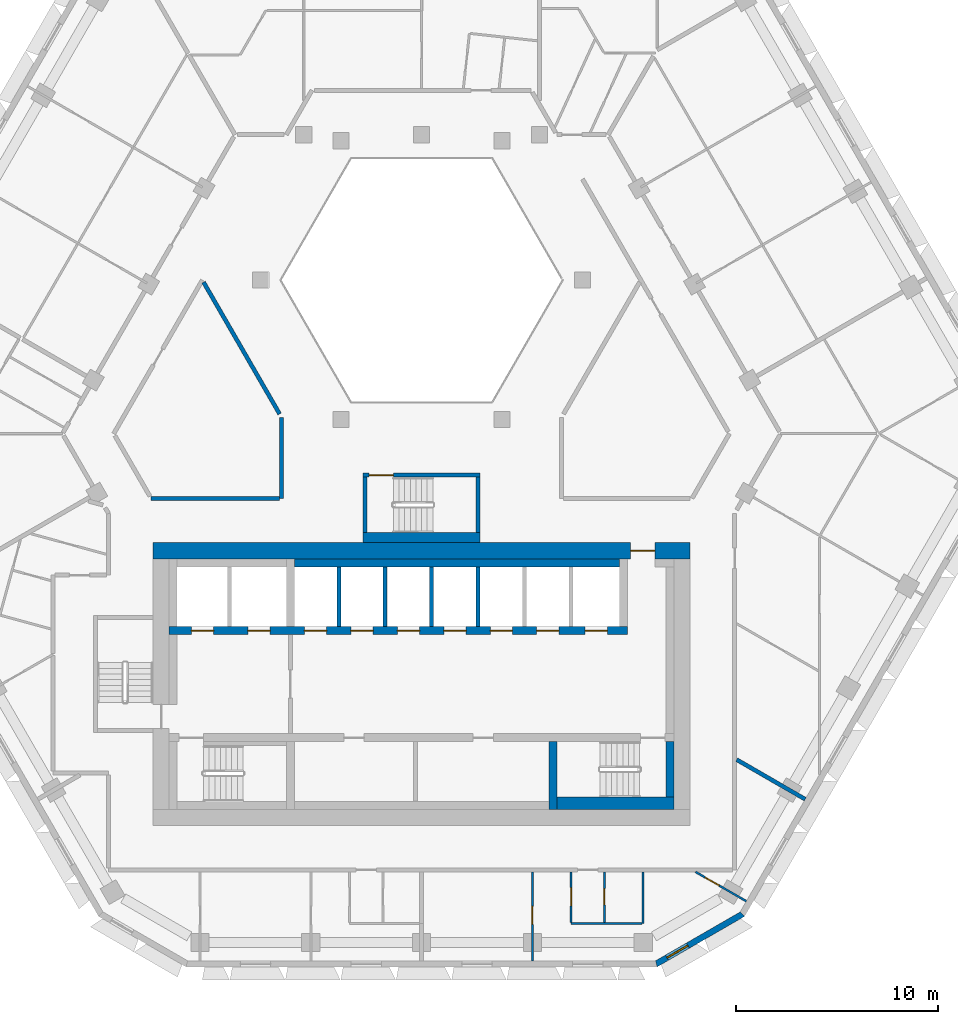
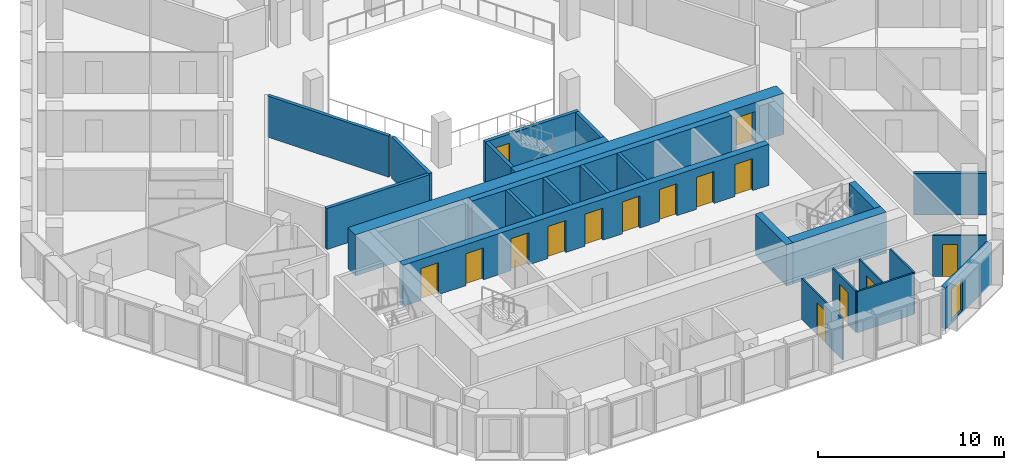
# One storey, part 5 of 15: 25 walls, 15 doors, 1 window, 16 openings.
"""IFC4 building model written with IfcOpenShell, lengths in metres."""

from ifc_helpers import new_model, si_unit, direction, frame, frame_2d, origin, place, context, subcontext, project, spatial, polyline, rectangle, outline, extrude, material, layer, layer_set, type_object, element, fill, save


model = new_model("IFC4")

# Units and contexts
model_context = context("Model", 3, precision=1e-05, world=origin(), true_north=direction((0.0, 1.0)))
body_context = subcontext(model_context, "Body", "Model", "MODEL_VIEW")
ifc_project = project(units=[si_unit("LENGTHUNIT", "METRE"), si_unit("AREAUNIT", "SQUARE_METRE"), si_unit("VOLUMEUNIT", "CUBIC_METRE"), si_unit("PLANEANGLEUNIT", "RADIAN"), si_unit("MASSUNIT", "GRAM", prefix="KILO")], contexts=[model_context])

# Site, building, storey
site_placement = place(None, origin())
site = spatial("IfcSite", under=ifc_project, at=site_placement, CompositionType="ELEMENT")
building_placement = place(site_placement, origin())
building = spatial("IfcBuilding", under=site, at=building_placement, Name="Beryl Residences", CompositionType="ELEMENT")
storey_placement = place(building_placement, frame((0.0, 0.0, 117.60009765625)))
storey = spatial("IfcBuildingStorey", under=building, at=storey_placement, Name="L35", CompositionType="ELEMENT", Elevation=117.60009765625)

# Wall, opening, window
ifc_material_1 = material(Name="Composite metal panel with mineral wool insulation")
ifc_layer_1 = layer(ifc_material_1, 0.300048828125)
ifc_layer_set_1 = layer_set([ifc_layer_1], Name="ES1 pale metal composite panel wall 300 mm")
wall_type_1 = type_object("IfcWallType", Name="ES1 pale metal composite panel wall 300 mm", PredefinedType="SOLIDWALL", material=ifc_layer_set_1)
wall_1_placement = place(storey_placement, frame((11.5869140625, -25.8701171875, 0.0), z_axis=(0.0, 0.0, 1.0), x_axis=(0.866022959057, 0.500004234368, 0.0)))
wall_1 = element("IfcWall", 1, at=wall_1_placement, inside=storey, type_object=wall_type_1, Name="ES1 external wall L35 S-SE", PredefinedType="SOLIDWALL", context=body_context, shape_type="SweptSolid", body=[
    extrude(outline(polyline([(0.0, -0.14990234375), (5.0, -0.14990234375), (4.919677734375, 0.14990234375), (0.080322265625, 0.14990234375), (0.0, -0.14990234375)])), origin(), (0.0, 0.0, 1.0), 2.699951171875),
])
opening_1_placement = place(wall_1_placement, frame((0.64990234375, 0.0, 0.14990234375)))
opening_1 = element("IfcOpeningElement", 2, at=opening_1_placement, cuts=wall_1, Name="Opening W2", PredefinedType="OPENING", context=body_context, shape_type="SweptSolid", body=[
    extrude(rectangle(XDim=1.199951171875, YDim=2.10009765625, at=frame_2d((0.60009765625, 1.050048828125))), frame((0.0, 0.159912109375, 0.0), z_axis=(0.0, -1.0, 0.0), x_axis=(1.0, 0.0, 0.0)), (0.0, 0.0, 1.0), 0.320068359375),
])
ifc_material_2 = material(Name="Aluminium and clear glass", Category="aluminium")
window_type = type_object("IfcWindowType", Name="W2 chamfer window 1200 x 2100 mm", PartitioningType="SINGLE_PANEL", PredefinedType="WINDOW", material=ifc_material_2)
window_placement = place(opening_1_placement, origin())
window = element("IfcWindow", 3, at=window_placement, inside=storey, type_object=window_type, Name="W2 window L35 S-SE 1", OverallHeight=2.10009765625, OverallWidth=1.199951171875, PartitioningType="SINGLE_PANEL", PredefinedType="WINDOW", context=body_context, shape_type="SweptSolid", body=[
    extrude(rectangle(XDim=1.199951171875, YDim=2.10009765625, at=frame_2d((0.60009765625, 1.050048828125))), frame((0.0, 0.030029296875, 0.0), z_axis=(0.0, -1.0, 0.0), x_axis=(1.0, 0.0, 0.0)), (0.0, 0.0, 1.0), 0.06005859375),
])
fill(opening_1, window)

# Wall, opening, door
ifc_material_3 = material(Name="Gypsum board partition on steel studs", Category="steel")
ifc_layer_2 = layer(ifc_material_3, 0.10009765625)
ifc_layer_set_2 = layer_set([ifc_layer_2], Name="PT1 partition 100 mm gypsum board on steel studs")
wall_type_2 = type_object("IfcWallType", Name="PT1 partition 100 mm gypsum board on steel studs", PredefinedType="PARTITIONING", material=ifc_layer_set_2)
wall_2_placement = place(storey_placement, frame((7.406005859375, -21.300048828125, 0.0), z_axis=(0.0, 0.0, 1.0), x_axis=(0.0, -1.0, 0.0)))
wall_2 = element("IfcWall", 4, at=wall_2_placement, inside=storey, type_object=wall_type_2, Name="Wall PT1 L35 008", PredefinedType="PARTITIONING", context=body_context, shape_type="SweptSolid", body=[
    extrude(rectangle(XDim=2.509033203125, YDim=0.10009765625, at=frame_2d((1.25439453125, 0.0))), origin(), (0.0, 0.0, 1.0), 2.699951171875),
])
opening_2_placement = place(wall_2_placement, frame((0.780029296875, 0.0, 0.0)))
opening_2 = element("IfcOpeningElement", 5, at=opening_2_placement, cuts=wall_2, Name="Opening D1207", PredefinedType="OPENING", context=body_context, shape_type="SweptSolid", body=[
    extrude(rectangle(XDim=0.89990234375, YDim=2.10009765625, at=frame_2d((0.449951171875, 1.050048828125))), frame((0.0, 0.06005859375, 0.0), z_axis=(0.0, -1.0, 0.0), x_axis=(1.0, 0.0, 0.0)), (0.0, 0.0, 1.0), 0.1201171875),
])
ifc_material_4 = material(Name="Timber door leaf", Category="wood")
door_type_1 = type_object("IfcDoorType", Name="D2 room door 900 x 2100 mm", OperationType="SINGLE_SWING_LEFT", PredefinedType="DOOR", material=ifc_material_4)
door_1_placement = place(opening_2_placement, origin())
door_1 = element("IfcDoor", 6, at=door_1_placement, inside=storey, type_object=door_type_1, Name="Door D1207 L35 001", OperationType="SINGLE_SWING_LEFT", OverallHeight=2.10009765625, OverallWidth=0.89990234375, PredefinedType="DOOR", context=body_context, shape_type="SweptSolid", body=[
    extrude(rectangle(XDim=0.89990234375, YDim=2.10009765625, at=frame_2d((0.449951171875, 1.050048828125))), frame((0.0, 0.02490234375, 0.0), z_axis=(0.0, -1.0, 0.0), x_axis=(1.0, 0.0, 0.0)), (0.0, 0.0, 1.0), 0.050048828125),
])
fill(opening_2, door_1)

wall_3_placement = place(storey_placement, frame((13.568115234375, -21.300048828125, 0.0), z_axis=(0.0, 0.0, 1.0), x_axis=(0.865885342641, -0.500242514586, 0.0)))
wall_3 = element("IfcWall", 7, at=wall_3_placement, inside=storey, type_object=wall_type_2, Name="Wall PT1 L35 014", PredefinedType="PARTITIONING", context=body_context, shape_type="SweptSolid", body=[
    extrude(rectangle(XDim=2.8984375, YDim=0.10009765625, at=frame_2d((1.44921875, 0.0))), origin(), (0.0, 0.0, 1.0), 2.699951171875),
])
opening_3_placement = place(wall_3_placement, frame((0.550048828125, 0.0, 0.0)))
opening_3 = element("IfcOpeningElement", 8, at=opening_3_placement, cuts=wall_3, Name="Opening D1210", PredefinedType="OPENING", context=body_context, shape_type="SweptSolid", body=[
    extrude(rectangle(XDim=0.800048828125, YDim=2.10009765625, at=frame_2d((0.39990234375, 1.050048828125))), frame((0.0, 0.06005859375, 0.0), z_axis=(0.0, -1.0, 0.0), x_axis=(1.0, 0.0, 0.0)), (0.0, 0.0, 1.0), 0.1201171875),
])
ifc_material_5 = material(Name="Timber door leaf", Category="wood")
door_type_2 = type_object("IfcDoorType", Name="D13 room door 800 x 2100 mm", OperationType="SINGLE_SWING_LEFT", PredefinedType="DOOR", material=ifc_material_5)
door_2_placement = place(opening_3_placement, origin())
door_2 = element("IfcDoor", 9, at=door_2_placement, inside=storey, type_object=door_type_2, Name="Door D1210 L35 001", OperationType="SINGLE_SWING_RIGHT", OverallHeight=2.10009765625, OverallWidth=0.800048828125, PredefinedType="DOOR", context=body_context, shape_type="SweptSolid", body=[
    extrude(rectangle(XDim=0.800048828125, YDim=2.10009765625, at=frame_2d((0.39990234375, 1.050048828125))), frame((0.0, 0.02490234375, 0.0), z_axis=(0.0, -1.0, 0.0), x_axis=(1.0, 0.0, 0.0)), (0.0, 0.0, 1.0), 0.050048828125),
])
fill(opening_3, door_2)

# Wall
wall_4_placement = place(storey_placement, frame((7.406982421875, -23.860107421875, 0.0), z_axis=(0.0, 0.0, 1.0), x_axis=(1.0, 0.0, 0.0)))
element("IfcWall", 10, at=wall_4_placement, inside=storey, type_object=wall_type_2, Name="Wall PT1 L35 021", PredefinedType="PARTITIONING", context=body_context, shape_type="SweptSolid", body=[
    extrude(rectangle(XDim=3.512939453125, YDim=0.10009765625, at=frame_2d((1.75634765625, 0.0))), origin(), (0.0, 0.0, 1.0), 2.699951171875),
])

# Wall, opening, door
wall_5_placement = place(storey_placement, frame((5.486083984375, -25.699951171875, 0.0), z_axis=(0.0, 0.0, 1.0), x_axis=(0.0, 1.0, 0.0)))
wall_5 = element("IfcWall", 11, at=wall_5_placement, inside=storey, type_object=wall_type_2, Name="Wall PT1 L35 038", PredefinedType="PARTITIONING", context=body_context, shape_type="SweptSolid", body=[
    extrude(rectangle(XDim=4.39990234375, YDim=0.10009765625, at=frame_2d((2.199951171875, 0.0))), origin(), (0.0, 0.0, 1.0), 2.699951171875),
])
opening_4_placement = place(wall_5_placement, frame((1.800048828125, 0.0, 0.0)))
opening_4 = element("IfcOpeningElement", 12, at=opening_4_placement, cuts=wall_5, Name="Opening D1209", PredefinedType="OPENING", context=body_context, shape_type="SweptSolid", body=[
    extrude(rectangle(XDim=0.89990234375, YDim=2.10009765625, at=frame_2d((0.449951171875, 1.050048828125))), frame((0.0, 0.06005859375, 0.0), z_axis=(0.0, -1.0, 0.0), x_axis=(1.0, 0.0, 0.0)), (0.0, 0.0, 1.0), 0.1201171875),
])
door_3_placement = place(opening_4_placement, origin())
door_3 = element("IfcDoor", 13, at=door_3_placement, inside=storey, type_object=door_type_1, Name="Door D1209 L35 001", OperationType="SINGLE_SWING_LEFT", OverallHeight=2.10009765625, OverallWidth=0.89990234375, PredefinedType="DOOR", context=body_context, shape_type="SweptSolid", body=[
    extrude(rectangle(XDim=0.89990234375, YDim=2.10009765625, at=frame_2d((0.449951171875, 1.050048828125))), frame((0.0, 0.02490234375, 0.0), z_axis=(0.0, -1.0, 0.0), x_axis=(1.0, 0.0, 0.0)), (0.0, 0.0, 1.0), 0.050048828125),
])
fill(opening_4, door_3)

wall_6_placement = place(storey_placement, frame((9.051025390625, -23.81005859375, 0.0), z_axis=(0.0, 0.0, 1.0), x_axis=(0.0, 1.0, 0.0)))
wall_6 = element("IfcWall", 14, at=wall_6_placement, inside=storey, type_object=wall_type_2, Name="Wall PT1 L35 039", PredefinedType="PARTITIONING", context=body_context, shape_type="SweptSolid", body=[
    extrude(rectangle(XDim=2.510009765625, YDim=0.10009765625, at=frame_2d((1.2548828125, 0.0))), origin(), (0.0, 0.0, 1.0), 2.699951171875),
])
opening_5_placement = place(wall_6_placement, frame((0.8798828125, 0.0, 0.0)))
opening_5 = element("IfcOpeningElement", 15, at=opening_5_placement, cuts=wall_6, Name="Opening D1208", PredefinedType="OPENING", context=body_context, shape_type="SweptSolid", body=[
    extrude(rectangle(XDim=0.800048828125, YDim=2.10009765625, at=frame_2d((0.39990234375, 1.050048828125))), frame((0.0, 0.06005859375, 0.0), z_axis=(0.0, -1.0, 0.0), x_axis=(1.0, 0.0, 0.0)), (0.0, 0.0, 1.0), 0.1201171875),
])
ifc_material_6 = material(Name="Timber door leaf", Category="wood")
door_type_3 = type_object("IfcDoorType", Name="D3 bathroom door 800 x 2100 mm", OperationType="SINGLE_SWING_LEFT", PredefinedType="DOOR", material=ifc_material_6)
door_4_placement = place(opening_5_placement, origin())
door_4 = element("IfcDoor", 16, at=door_4_placement, inside=storey, type_object=door_type_3, Name="Door D1208 L35 001", OperationType="SINGLE_SWING_RIGHT", OverallHeight=2.10009765625, OverallWidth=0.800048828125, PredefinedType="DOOR", context=body_context, shape_type="SweptSolid", body=[
    extrude(rectangle(XDim=0.800048828125, YDim=2.10009765625, at=frame_2d((0.39990234375, 1.050048828125))), frame((0.0, 0.02490234375, 0.0), z_axis=(0.0, -1.0, 0.0), x_axis=(1.0, 0.0, 0.0)), (0.0, 0.0, 1.0), 0.050048828125),
])
fill(opening_5, door_4)

# Walls
wall_7_placement = place(storey_placement, frame((10.970947265625, -23.85888671875, 0.0), z_axis=(0.0, 0.0, 1.0), x_axis=(0.0, 1.0, 0.0)))
element("IfcWall", 17, at=wall_7_placement, inside=storey, type_object=wall_type_2, Name="Wall PT1 L35 040", PredefinedType="PARTITIONING", context=body_context, shape_type="SweptSolid", body=[
    extrude(rectangle(XDim=2.558837890625, YDim=0.10009765625, at=frame_2d((1.279296875, 0.0))), origin(), (0.0, 0.0, 1.0), 2.699951171875),
])
ifc_material_7 = material(Name="Acoustic double stud gypsum board wall")
ifc_layer_3 = layer(ifc_material_7, 0.199951171875)
ifc_layer_set_3 = layer_set([ifc_layer_3], Name="PT3 party wall 200 mm acoustic double stud")
wall_type_3 = type_object("IfcWallType", Name="PT3 party wall 200 mm acoustic double stud", PredefinedType="PARTITIONING", material=ifc_layer_set_3)
wall_8_placement = place(storey_placement, frame((15.60009765625, -15.740966796875, 0.0), z_axis=(0.0, 0.0, 1.0), x_axis=(0.865964599155, -0.500105301922, 0.0)))
element("IfcWall", 18, at=wall_8_placement, inside=storey, type_object=wall_type_3, Name="Wall PT3 L35 007", PredefinedType="PARTITIONING", context=body_context, shape_type="SweptSolid", body=[
    extrude(rectangle(XDim=3.919189453125, YDim=0.199951171875, at=frame_2d((1.95947265625, 0.0))), origin(), (0.0, 0.0, 1.0), 2.699951171875),
])
ifc_material_8 = material(Name="Double stud gypsum board wall")
ifc_layer_4 = layer(ifc_material_8, 0.199951171875)
ifc_layer_set_4 = layer_set([ifc_layer_4], Name="PT4 corridor wall 200 mm double stud")
wall_type_4 = type_object("IfcWallType", Name="PT4 corridor wall 200 mm double stud", PredefinedType="PARTITIONING", material=ifc_layer_set_4)
wall_9_placement = place(storey_placement, frame((-10.7958984375, 7.89990234375, 0.0), z_axis=(0.0, 0.0, 1.0), x_axis=(0.499954271211, -0.866051803703, 0.0)))
element("IfcWall", 19, at=wall_9_placement, inside=storey, type_object=wall_type_4, Name="Wall PT4 L35 001", PredefinedType="PARTITIONING", context=body_context, shape_type="SweptSolid", body=[
    extrude(rectangle(XDim=7.536376953125, YDim=0.199951171875, at=frame_2d((3.76806640625, 0.0))), origin(), (0.0, 0.0, 1.0), 2.699951171875),
])
wall_10_placement = place(storey_placement, frame((-13.39501953125, -2.800048828125, 0.0), z_axis=(0.0, 0.0, 1.0), x_axis=(1.0, 0.0, 0.0)))
element("IfcWall", 20, at=wall_10_placement, inside=storey, type_object=wall_type_4, Name="Wall PT4 L35 013", PredefinedType="PARTITIONING", context=body_context, shape_type="SweptSolid", body=[
    extrude(rectangle(XDim=6.366943359375, YDim=0.199951171875, at=frame_2d((3.18359375, 0.0))), origin(), (0.0, 0.0, 1.0), 2.699951171875),
])
wall_11_placement = place(storey_placement, frame((-6.927978515625, -2.800048828125, 0.0), z_axis=(0.0, 0.0, 1.0), x_axis=(0.0, 1.0, 0.0)))
element("IfcWall", 21, at=wall_11_placement, inside=storey, type_object=wall_type_4, Name="Wall PT4 L35 026", PredefinedType="PARTITIONING", context=body_context, shape_type="SweptSolid", body=[
    extrude(rectangle(XDim=4.0, YDim=0.199951171875, at=frame_2d((2.0, 0.0))), origin(), (0.0, 0.0, 1.0), 2.699951171875),
])

# Wall, opening, door
ifc_material_9 = material(Name="Concrete C40/50", Category="concrete")
ifc_layer_5 = layer(ifc_material_9, 0.199951171875)
ifc_layer_set_5 = layer_set([ifc_layer_5], Name="PT5 stair enclosure wall 200 mm reinforced concrete C40/50")
wall_type_5 = type_object("IfcWallType", Name="PT5 stair enclosure wall 200 mm reinforced concrete C40/50", PredefinedType="SOLIDWALL", material=ifc_layer_set_5)
wall_12_placement = place(storey_placement, frame((-2.89990234375, -1.64990234375, 0.0), z_axis=(0.0, 0.0, 1.0), x_axis=(1.0, 0.0, 0.0)))
wall_12 = element("IfcWall", 22, at=wall_12_placement, inside=storey, type_object=wall_type_5, Name="Wall PT5 L35 001", PredefinedType="SOLIDWALL", context=body_context, shape_type="SweptSolid", body=[
    extrude(rectangle(XDim=5.7998046875, YDim=0.199951171875, at=frame_2d((2.89990234375, 0.0))), origin(), (0.0, 0.0, 1.0), 2.699951171875),
])
opening_6_placement = place(wall_12_placement, frame((0.300048828125, 0.0, 0.0)))
opening_6 = element("IfcOpeningElement", 23, at=opening_6_placement, cuts=wall_12, Name="Opening DS04", PredefinedType="OPENING", context=body_context, shape_type="SweptSolid", body=[
    extrude(rectangle(XDim=1.199951171875, YDim=2.10009765625, at=frame_2d((0.60009765625, 1.050048828125))), frame((0.0, 0.10986328125, 0.0), z_axis=(0.0, -1.0, 0.0), x_axis=(1.0, 0.0, 0.0)), (0.0, 0.0, 1.0), 0.219970703125),
])
ifc_material_10 = material(Name="Steel door leaf in steel frame", Category="steel")
door_type_4 = type_object("IfcDoorType", Name="D4 stair door 1200 x 2100 mm", OperationType="SINGLE_SWING_LEFT", PredefinedType="DOOR", material=ifc_material_10)
door_5_placement = place(opening_6_placement, origin())
door_5 = element("IfcDoor", 24, at=door_5_placement, inside=storey, type_object=door_type_4, Name="Door DS04 L35 001", OperationType="SINGLE_SWING_LEFT", OverallHeight=2.10009765625, OverallWidth=1.199951171875, PredefinedType="DOOR", context=body_context, shape_type="SweptSolid", body=[
    extrude(rectangle(XDim=1.199951171875, YDim=2.10009765625, at=frame_2d((0.60009765625, 1.050048828125))), frame((0.0, 0.02490234375, 0.0), z_axis=(0.0, -1.0, 0.0), x_axis=(1.0, 0.0, 0.0)), (0.0, 0.0, 1.0), 0.050048828125),
])
fill(opening_6, door_5)

# Walls
for number, where, z_axis, x_axis, name in (
    (25, (-2.800048828125, -4.5, 0.0), (0.0, 0.0, 1.0), (0.0, 1.0, 0.0), "Wall PT5 L35 002"),
    (26, (2.800048828125, -4.5, 0.0), (0.0, 0.0, 1.0), (0.0, 1.0, 0.0), "Wall PT5 L35 003"),
):
    element("IfcWall", number, at=place(storey_placement, frame(where, z_axis=z_axis, x_axis=x_axis)), inside=storey, type_object=wall_type_5, Name=name, PredefinedType="SOLIDWALL", context=body_context, shape_type="SweptSolid", body=[
        extrude(rectangle(XDim=2.75, YDim=0.199951171875, at=frame_2d((1.375, 0.0))), origin(), (0.0, 0.0, 1.0), 2.699951171875),
    ])
ifc_material_11 = material(Name="Concrete C40/50", Category="concrete")
ifc_layer_6 = layer(ifc_material_11, 0.39990234375)
ifc_layer_set_6 = layer_set([ifc_layer_6], Name="PT5-400 stair enclosure wall 400 mm")
wall_type_6 = type_object("IfcWallType", Name="PT5-400 stair enclosure wall 400 mm", PredefinedType="SOLIDWALL", material=ifc_layer_set_6)
wall_13_placement = place(storey_placement, frame((12.300048828125, -17.60009765625, 0.0), z_axis=(0.0, 0.0, 1.0), x_axis=(0.0, 1.0, 0.0)))
element("IfcWall", 27, at=wall_13_placement, inside=storey, type_object=wall_type_6, Name="Stair wall 23", PredefinedType="SOLIDWALL", context=body_context, shape_type="SweptSolid", body=[
    extrude(rectangle(XDim=2.75, YDim=0.39990234375, at=frame_2d((1.375, 0.0))), origin(), (0.0, 0.0, 1.0), 2.699951171875),
])
ifc_material_12 = material(Name="Concrete C40/50", Category="concrete")
ifc_layer_7 = layer(ifc_material_12, 0.5)
ifc_layer_set_7 = layer_set([ifc_layer_7], Name="PT5-500 stair enclosure wall 500 mm")
wall_type_7 = type_object("IfcWallType", Name="PT5-500 stair enclosure wall 500 mm", PredefinedType="SOLIDWALL", material=ifc_layer_set_7)
wall_14_placement = place(storey_placement, frame((-2.89990234375, -4.75, 0.0), z_axis=(0.0, 0.0, 1.0), x_axis=(1.0, 0.0, 0.0)))
element("IfcWall", 28, at=wall_14_placement, inside=storey, type_object=wall_type_7, Name="Wall PT5-500 L35 001", PredefinedType="SOLIDWALL", context=body_context, shape_type="SweptSolid", body=[
    extrude(rectangle(XDim=5.7998046875, YDim=0.5, at=frame_2d((2.89990234375, 0.0))), origin(), (0.0, 0.0, 1.0), 2.699951171875),
])
ifc_material_13 = material(Name="Concrete C40/50", Category="concrete")
ifc_layer_8 = layer(ifc_material_13, 0.60009765625)
ifc_layer_set_8 = layer_set([ifc_layer_8], Name="PT5-600 stair enclosure wall 600 mm")
wall_type_8 = type_object("IfcWallType", Name="PT5-600 stair enclosure wall 600 mm", PredefinedType="SOLIDWALL", material=ifc_layer_set_8)
wall_15_placement = place(storey_placement, frame((6.699951171875, -17.89990234375, 0.0), z_axis=(0.0, 0.0, 1.0), x_axis=(1.0, 0.0, 0.0)))
element("IfcWall", 29, at=wall_15_placement, inside=storey, type_object=wall_type_8, Name="Stair wall 20", PredefinedType="SOLIDWALL", context=body_context, shape_type="SweptSolid", body=[
    extrude(rectangle(XDim=5.800048828125, YDim=0.60009765625, at=frame_2d((2.89990234375, 0.0))), origin(), (0.0, 0.0, 1.0), 2.699951171875),
])
ifc_material_14 = material(Name="Concrete C40/50", Category="concrete")
ifc_layer_9 = layer(ifc_material_14, 0.199951171875)
ifc_layer_set_9 = layer_set([ifc_layer_9], Name="PT6 lift shaft wall 200 mm reinforced concrete C40/50")
wall_type_9 = type_object("IfcWallType", Name="PT6 lift shaft wall 200 mm reinforced concrete C40/50", PredefinedType="SOLIDWALL", material=ifc_layer_set_9)
for number, where, z_axis, x_axis, name in (
    (30, (-4.10009765625, -9.14990234375, 0.0), (0.0, 0.0, 1.0), (0.0, 1.0, 0.0), "Lift shaft wall 14"),
    (31, (-1.800048828125, -9.14990234375, 0.0), (0.0, 0.0, 1.0), (0.0, 1.0, 0.0), "Lift shaft wall 15"),
    (32, (0.5, -9.14990234375, 0.0), (0.0, 0.0, 1.0), (0.0, 1.0, 0.0), "Lift shaft wall 17"),
    (33, (2.800048828125, -9.14990234375, 0.0), (0.0, 0.0, 1.0), (0.0, 1.0, 0.0), "Lift shaft wall 18"),
):
    element("IfcWall", number, at=place(storey_placement, frame(where, z_axis=z_axis, x_axis=x_axis)), inside=storey, type_object=wall_type_9, Name=name, PredefinedType="SOLIDWALL", context=body_context, shape_type="SweptSolid", body=[
        extrude(rectangle(XDim=2.949951171875, YDim=0.199951171875, at=frame_2d((1.47509765625, 0.0))), origin(), (0.0, 0.0, 1.0), 2.699951171875),
    ])
ifc_material_15 = material(Name="Concrete C40/50", Category="concrete")
ifc_layer_10 = layer(ifc_material_15, 0.39990234375)
ifc_layer_set_10 = layer_set([ifc_layer_10], Name="PT6-400 lift shaft wall 400 mm")
wall_type_10 = type_object("IfcWallType", Name="PT6-400 lift shaft wall 400 mm", PredefinedType="SOLIDWALL", material=ifc_layer_set_10)
wall_16_placement = place(storey_placement, frame((-6.300048828125, -6.0, 0.0), z_axis=(0.0, 0.0, 1.0), x_axis=(1.0, 0.0, 0.0)))
element("IfcWall", 34, at=wall_16_placement, inside=storey, type_object=wall_type_10, Name="Lift shaft wall 13", PredefinedType="SOLIDWALL", context=body_context, shape_type="SweptSolid", body=[
    extrude(rectangle(XDim=16.10009765625, YDim=0.39990234375, at=frame_2d((8.050048828125, 0.0))), origin(), (0.0, 0.0, 1.0), 2.699951171875),
])

# Wall, opening, door
ifc_material_16 = material(Name="Concrete C60/75", Category="concrete")
ifc_layer_11 = layer(ifc_material_16, 0.800048828125)
ifc_layer_set_11 = layer_set([ifc_layer_11], Name="SW3 core outer wall 800 mm C60/75")
wall_type_11 = type_object("IfcWallType", Name="SW3 core outer wall 800 mm C60/75", PredefinedType="SHEAR", material=ifc_layer_set_11)
wall_17_placement = place(storey_placement, frame((-13.300048828125, -5.39990234375, 0.0), z_axis=(0.0, 0.0, 1.0), x_axis=(1.0, 0.0, 0.0)))
wall_17 = element("IfcWall", 35, at=wall_17_placement, inside=storey, type_object=wall_type_11, Name="Core wall N L35", PredefinedType="SHEAR", context=body_context, shape_type="SweptSolid", body=[
    extrude(rectangle(XDim=26.60009765625, YDim=0.800048828125, at=frame_2d((13.300048828125, 0.0))), origin(), (0.0, 0.0, 1.0), 2.699951171875),
])
opening_7_placement = place(wall_17_placement, frame((23.64990234375, 0.0, 0.0)))
opening_7 = element("IfcOpeningElement", 36, at=opening_7_placement, cuts=wall_17, Name="Opening FD-NORTH", PredefinedType="OPENING", context=body_context, shape_type="SweptSolid", body=[
    extrude(rectangle(XDim=1.199951171875, YDim=2.10009765625, at=frame_2d((0.60009765625, 1.050048828125))), frame((0.0, 0.409912109375, 0.0), z_axis=(0.0, -1.0, 0.0), x_axis=(1.0, 0.0, 0.0)), (0.0, 0.0, 1.0), 0.820068359375),
])
ifc_material_17 = material(Name="Steel door leaf in steel frame", Category="steel")
door_type_5 = type_object("IfcDoorType", Name="D22 lobby door 1200 x 2100 mm", OperationType="DOUBLE_DOOR_SINGLE_SWING", PredefinedType="DOOR", material=ifc_material_17)
door_6_placement = place(opening_7_placement, origin())
door_6 = element("IfcDoor", 37, at=door_6_placement, inside=storey, type_object=door_type_5, Name="Door FD-NORTH L35 001", OperationType="DOUBLE_DOOR_SINGLE_SWING", OverallHeight=2.10009765625, OverallWidth=1.199951171875, PredefinedType="DOOR", context=body_context, shape_type="SweptSolid", body=[
    extrude(rectangle(XDim=1.199951171875, YDim=2.10009765625, at=frame_2d((0.60009765625, 1.050048828125))), frame((0.0, 0.02490234375, 0.0), z_axis=(0.0, -1.0, 0.0), x_axis=(1.0, 0.0, 0.0)), (0.0, 0.0, 1.0), 0.050048828125),
])
fill(opening_7, door_6)

# Wall, openings, doors
ifc_material_18 = material(Name="Concrete C60/75", Category="concrete")
ifc_layer_12 = layer(ifc_material_18, 0.39990234375)
ifc_layer_set_12 = layer_set([ifc_layer_12], Name="SW8 core internal wall 400 mm C60/75")
wall_type_12 = type_object("IfcWallType", Name="SW8 core internal wall 400 mm C60/75", PredefinedType="SHEAR", material=ifc_layer_set_12)
wall_18_placement = place(storey_placement, frame((-12.5, -9.35009765625, 0.0), z_axis=(0.0, 0.0, 1.0), x_axis=(1.0, 0.0, 0.0)))
wall_18 = element("IfcWall", 38, at=wall_18_placement, inside=storey, type_object=wall_type_12, Name="Core wall SP2 L35", PredefinedType="SHEAR", context=body_context, shape_type="SweptSolid", body=[
    extrude(rectangle(XDim=22.699951171875, YDim=0.39990234375, at=frame_2d((11.35009765625, 0.0))), origin(), (0.0, 0.0, 1.0), 2.699951171875),
])
opening_8_placement = place(wall_18_placement, frame((1.10009765625, 0.0, 0.0)))
opening_8 = element("IfcOpeningElement", 39, at=opening_8_placement, cuts=wall_18, Name="Opening LD-FF1", PredefinedType="OPENING", context=body_context, shape_type="SweptSolid", body=[
    extrude(rectangle(XDim=1.10009765625, YDim=2.10009765625, at=frame_2d((0.550048828125, 1.050048828125))), frame((0.0, 0.2099609375, 0.0), z_axis=(0.0, -1.0, 0.0), x_axis=(1.0, 0.0, 0.0)), (0.0, 0.0, 1.0), 0.419921875),
])
opening_9_placement = place(wall_18_placement, frame((3.89990234375, 0.0, 0.0)))
opening_9 = element("IfcOpeningElement", 40, at=opening_9_placement, cuts=wall_18, Name="Opening LD-FF2", PredefinedType="OPENING", context=body_context, shape_type="SweptSolid", body=[
    extrude(rectangle(XDim=1.10009765625, YDim=2.10009765625, at=frame_2d((0.550048828125, 1.050048828125))), frame((0.0, 0.2099609375, 0.0), z_axis=(0.0, -1.0, 0.0), x_axis=(1.0, 0.0, 0.0)), (0.0, 0.0, 1.0), 0.419921875),
])
opening_10_placement = place(wall_18_placement, frame((6.699951171875, 0.0, 0.0)))
opening_10 = element("IfcOpeningElement", 41, at=opening_10_placement, cuts=wall_18, Name="Opening LD-HR1", PredefinedType="OPENING", context=body_context, shape_type="SweptSolid", body=[
    extrude(rectangle(XDim=1.10009765625, YDim=2.10009765625, at=frame_2d((0.550048828125, 1.050048828125))), frame((0.0, 0.2099609375, 0.0), z_axis=(0.0, -1.0, 0.0), x_axis=(1.0, 0.0, 0.0)), (0.0, 0.0, 1.0), 0.419921875),
])
opening_11_placement = place(wall_18_placement, frame((9.0, 0.0, 0.0)))
opening_11 = element("IfcOpeningElement", 42, at=opening_11_placement, cuts=wall_18, Name="Opening LD-HR2", PredefinedType="OPENING", context=body_context, shape_type="SweptSolid", body=[
    extrude(rectangle(XDim=1.10009765625, YDim=2.10009765625, at=frame_2d((0.550048828125, 1.050048828125))), frame((0.0, 0.2099609375, 0.0), z_axis=(0.0, -1.0, 0.0), x_axis=(1.0, 0.0, 0.0)), (0.0, 0.0, 1.0), 0.419921875),
])
opening_12_placement = place(wall_18_placement, frame((11.300048828125, 0.0, 0.0)))
opening_12 = element("IfcOpeningElement", 43, at=opening_12_placement, cuts=wall_18, Name="Opening LD-HR3", PredefinedType="OPENING", context=body_context, shape_type="SweptSolid", body=[
    extrude(rectangle(XDim=1.10009765625, YDim=2.10009765625, at=frame_2d((0.550048828125, 1.050048828125))), frame((0.0, 0.2099609375, 0.0), z_axis=(0.0, -1.0, 0.0), x_axis=(1.0, 0.0, 0.0)), (0.0, 0.0, 1.0), 0.419921875),
])
opening_13_placement = place(wall_18_placement, frame((13.60009765625, 0.0, 0.0)))
opening_13 = element("IfcOpeningElement", 44, at=opening_13_placement, cuts=wall_18, Name="Opening LD-HR4", PredefinedType="OPENING", context=body_context, shape_type="SweptSolid", body=[
    extrude(rectangle(XDim=1.10009765625, YDim=2.10009765625, at=frame_2d((0.550048828125, 1.050048828125))), frame((0.0, 0.2099609375, 0.0), z_axis=(0.0, -1.0, 0.0), x_axis=(1.0, 0.0, 0.0)), (0.0, 0.0, 1.0), 0.419921875),
])
opening_14_placement = place(wall_18_placement, frame((15.89990234375, 0.0, 0.0)))
opening_14 = element("IfcOpeningElement", 45, at=opening_14_placement, cuts=wall_18, Name="Opening LD-HR5", PredefinedType="OPENING", context=body_context, shape_type="SweptSolid", body=[
    extrude(rectangle(XDim=1.10009765625, YDim=2.10009765625, at=frame_2d((0.550048828125, 1.050048828125))), frame((0.0, 0.2099609375, 0.0), z_axis=(0.0, -1.0, 0.0), x_axis=(1.0, 0.0, 0.0)), (0.0, 0.0, 1.0), 0.419921875),
])
opening_15_placement = place(wall_18_placement, frame((18.199951171875, 0.0, 0.0)))
opening_15 = element("IfcOpeningElement", 46, at=opening_15_placement, cuts=wall_18, Name="Opening LD-HR6", PredefinedType="OPENING", context=body_context, shape_type="SweptSolid", body=[
    extrude(rectangle(XDim=1.10009765625, YDim=2.10009765625, at=frame_2d((0.550048828125, 1.050048828125))), frame((0.0, 0.2099609375, 0.0), z_axis=(0.0, -1.0, 0.0), x_axis=(1.0, 0.0, 0.0)), (0.0, 0.0, 1.0), 0.419921875),
])
opening_16_placement = place(wall_18_placement, frame((20.60009765625, 0.0, 0.0)))
opening_16 = element("IfcOpeningElement", 47, at=opening_16_placement, cuts=wall_18, Name="Opening LD-SL1", PredefinedType="OPENING", context=body_context, shape_type="SweptSolid", body=[
    extrude(rectangle(XDim=1.10009765625, YDim=2.10009765625, at=frame_2d((0.550048828125, 1.050048828125))), frame((0.0, 0.2099609375, 0.0), z_axis=(0.0, -1.0, 0.0), x_axis=(1.0, 0.0, 0.0)), (0.0, 0.0, 1.0), 0.419921875),
])
ifc_material_19 = material(Name="Stainless steel sliding door", Category="steel")
door_type_6 = type_object("IfcDoorType", Name="LD1 lift landing door 1100 x 2100 mm", OperationType="DOUBLE_DOOR_SLIDING", PredefinedType="DOOR", material=ifc_material_19)
door_7_placement = place(opening_8_placement, origin())
door_7 = element("IfcDoor", 48, at=door_7_placement, inside=storey, type_object=door_type_6, Name="Lift landing door FF1", OperationType="DOUBLE_DOOR_SLIDING", OverallHeight=2.10009765625, OverallWidth=1.10009765625, PredefinedType="DOOR", context=body_context, shape_type="SweptSolid", body=[
    extrude(rectangle(XDim=1.10009765625, YDim=2.10009765625, at=frame_2d((0.550048828125, 1.050048828125))), frame((0.0, 0.02490234375, 0.0), z_axis=(0.0, -1.0, 0.0), x_axis=(1.0, 0.0, 0.0)), (0.0, 0.0, 1.0), 0.050048828125),
])
fill(opening_8, door_7)
door_8_placement = place(opening_9_placement, origin())
door_8 = element("IfcDoor", 49, at=door_8_placement, inside=storey, type_object=door_type_6, Name="Lift landing door FF2", OperationType="DOUBLE_DOOR_SLIDING", OverallHeight=2.10009765625, OverallWidth=1.10009765625, PredefinedType="DOOR", context=body_context, shape_type="SweptSolid", body=[
    extrude(rectangle(XDim=1.10009765625, YDim=2.10009765625, at=frame_2d((0.550048828125, 1.050048828125))), frame((0.0, 0.02490234375, 0.0), z_axis=(0.0, -1.0, 0.0), x_axis=(1.0, 0.0, 0.0)), (0.0, 0.0, 1.0), 0.050048828125),
])
fill(opening_9, door_8)
door_9_placement = place(opening_10_placement, origin())
door_9 = element("IfcDoor", 50, at=door_9_placement, inside=storey, type_object=door_type_6, Name="Lift landing door HR1", OperationType="DOUBLE_DOOR_SLIDING", OverallHeight=2.10009765625, OverallWidth=1.10009765625, PredefinedType="DOOR", context=body_context, shape_type="SweptSolid", body=[
    extrude(rectangle(XDim=1.10009765625, YDim=2.10009765625, at=frame_2d((0.550048828125, 1.050048828125))), frame((0.0, 0.02490234375, 0.0), z_axis=(0.0, -1.0, 0.0), x_axis=(1.0, 0.0, 0.0)), (0.0, 0.0, 1.0), 0.050048828125),
])
fill(opening_10, door_9)
door_10_placement = place(opening_11_placement, origin())
door_10 = element("IfcDoor", 51, at=door_10_placement, inside=storey, type_object=door_type_6, Name="Lift landing door HR2", OperationType="DOUBLE_DOOR_SLIDING", OverallHeight=2.10009765625, OverallWidth=1.10009765625, PredefinedType="DOOR", context=body_context, shape_type="SweptSolid", body=[
    extrude(rectangle(XDim=1.10009765625, YDim=2.10009765625, at=frame_2d((0.550048828125, 1.050048828125))), frame((0.0, 0.02490234375, 0.0), z_axis=(0.0, -1.0, 0.0), x_axis=(1.0, 0.0, 0.0)), (0.0, 0.0, 1.0), 0.050048828125),
])
fill(opening_11, door_10)
door_11_placement = place(opening_12_placement, origin())
door_11 = element("IfcDoor", 52, at=door_11_placement, inside=storey, type_object=door_type_6, Name="Lift landing door HR3", OperationType="DOUBLE_DOOR_SLIDING", OverallHeight=2.10009765625, OverallWidth=1.10009765625, PredefinedType="DOOR", context=body_context, shape_type="SweptSolid", body=[
    extrude(rectangle(XDim=1.10009765625, YDim=2.10009765625, at=frame_2d((0.550048828125, 1.050048828125))), frame((0.0, 0.02490234375, 0.0), z_axis=(0.0, -1.0, 0.0), x_axis=(1.0, 0.0, 0.0)), (0.0, 0.0, 1.0), 0.050048828125),
])
fill(opening_12, door_11)
door_12_placement = place(opening_13_placement, origin())
door_12 = element("IfcDoor", 53, at=door_12_placement, inside=storey, type_object=door_type_6, Name="Lift landing door HR4", OperationType="DOUBLE_DOOR_SLIDING", OverallHeight=2.10009765625, OverallWidth=1.10009765625, PredefinedType="DOOR", context=body_context, shape_type="SweptSolid", body=[
    extrude(rectangle(XDim=1.10009765625, YDim=2.10009765625, at=frame_2d((0.550048828125, 1.050048828125))), frame((0.0, 0.02490234375, 0.0), z_axis=(0.0, -1.0, 0.0), x_axis=(1.0, 0.0, 0.0)), (0.0, 0.0, 1.0), 0.050048828125),
])
fill(opening_13, door_12)
door_13_placement = place(opening_14_placement, origin())
door_13 = element("IfcDoor", 54, at=door_13_placement, inside=storey, type_object=door_type_6, Name="Lift landing door HR5", OperationType="DOUBLE_DOOR_SLIDING", OverallHeight=2.10009765625, OverallWidth=1.10009765625, PredefinedType="DOOR", context=body_context, shape_type="SweptSolid", body=[
    extrude(rectangle(XDim=1.10009765625, YDim=2.10009765625, at=frame_2d((0.550048828125, 1.050048828125))), frame((0.0, 0.02490234375, 0.0), z_axis=(0.0, -1.0, 0.0), x_axis=(1.0, 0.0, 0.0)), (0.0, 0.0, 1.0), 0.050048828125),
])
fill(opening_14, door_13)
door_14_placement = place(opening_15_placement, origin())
door_14 = element("IfcDoor", 55, at=door_14_placement, inside=storey, type_object=door_type_6, Name="Lift landing door HR6", OperationType="DOUBLE_DOOR_SLIDING", OverallHeight=2.10009765625, OverallWidth=1.10009765625, PredefinedType="DOOR", context=body_context, shape_type="SweptSolid", body=[
    extrude(rectangle(XDim=1.10009765625, YDim=2.10009765625, at=frame_2d((0.550048828125, 1.050048828125))), frame((0.0, 0.02490234375, 0.0), z_axis=(0.0, -1.0, 0.0), x_axis=(1.0, 0.0, 0.0)), (0.0, 0.0, 1.0), 0.050048828125),
])
fill(opening_15, door_14)
door_15_placement = place(opening_16_placement, origin())
door_15 = element("IfcDoor", 56, at=door_15_placement, inside=storey, type_object=door_type_6, Name="Lift landing door SL1", OperationType="DOUBLE_DOOR_SLIDING", OverallHeight=2.10009765625, OverallWidth=1.10009765625, PredefinedType="DOOR", context=body_context, shape_type="SweptSolid", body=[
    extrude(rectangle(XDim=1.10009765625, YDim=2.10009765625, at=frame_2d((0.550048828125, 1.050048828125))), frame((0.0, 0.02490234375, 0.0), z_axis=(0.0, -1.0, 0.0), x_axis=(1.0, 0.0, 0.0)), (0.0, 0.0, 1.0), 0.050048828125),
])
fill(opening_16, door_15)

# Wall
wall_19_placement = place(storey_placement, frame((6.5, -18.199951171875, 0.0), z_axis=(0.0, 0.0, 1.0), x_axis=(0.0, 1.0, 0.0)))
element("IfcWall", 57, at=wall_19_placement, inside=storey, type_object=wall_type_12, Name="Core wall XS2 L35", PredefinedType="SHEAR", context=body_context, shape_type="SweptSolid", body=[
    extrude(rectangle(XDim=3.349853515625, YDim=0.39990234375, at=frame_2d((1.6748046875, 0.0))), origin(), (0.0, 0.0, 1.0), 2.699951171875),
])

save(model, "model.ifc")
